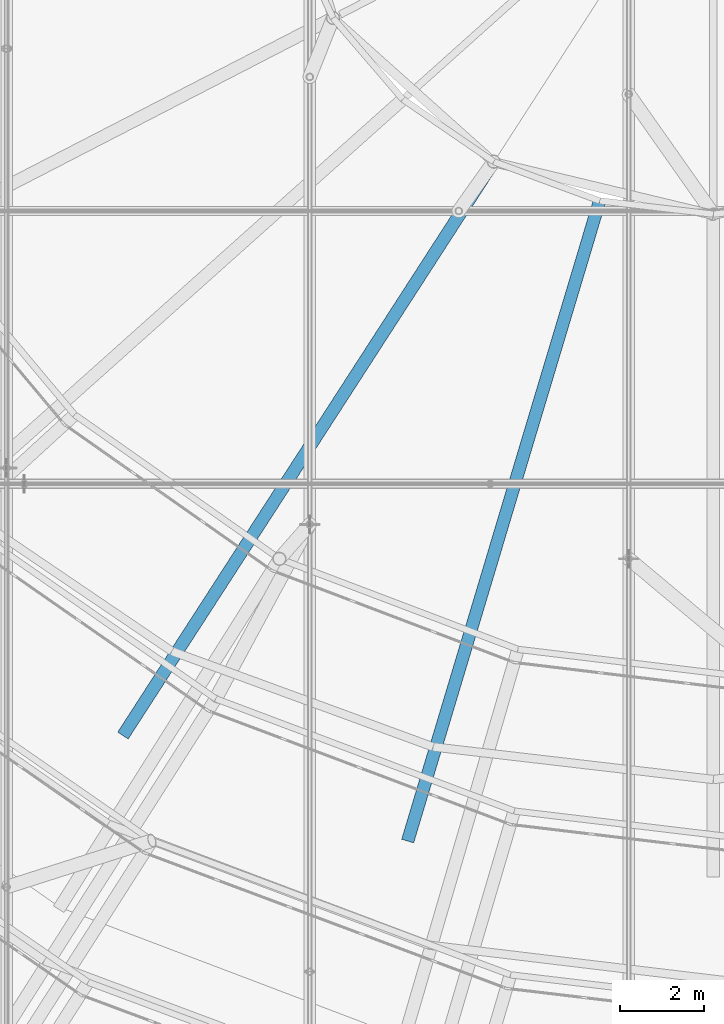
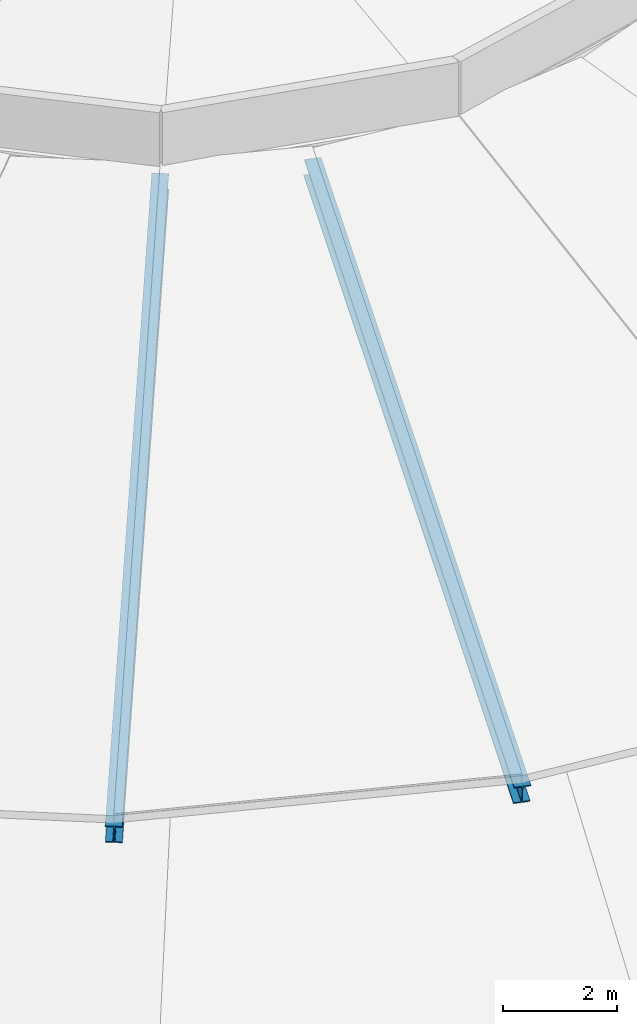
# One storey, part 21 of 173: 2 members.
"""IFC4 building model written with IfcOpenShell, lengths in metres."""

from ifc_helpers import new_model, si_unit, direction, frame, origin, origin_2d, place, context, subcontext, project, spatial, i_section, extrude, material, material_profile, profile_set, type_object, element, save


model = new_model("IFC4")

# Units and contexts
model_context = context("Model", 3, precision=1e-05, world=origin(), true_north=direction((0.0, 1.0)))
body_context = subcontext(model_context, "Body", "Model", "MODEL_VIEW")
ifc_project = project(units=[si_unit("LENGTHUNIT", "METRE"), si_unit("AREAUNIT", "SQUARE_METRE"), si_unit("VOLUMEUNIT", "CUBIC_METRE"), si_unit("PLANEANGLEUNIT", "RADIAN"), si_unit("MASSUNIT", "GRAM", prefix="KILO")], contexts=[model_context])

# Site, building, storey
site_placement = place(None, origin())
site = spatial("IfcSite", under=ifc_project, at=site_placement, CompositionType="ELEMENT")
building_placement = place(site_placement, origin())
building = spatial("IfcBuilding", under=site, at=building_placement, Name="Glasvene Arena", CompositionType="ELEMENT")
storey_placement = place(building_placement, frame((0.0, 0.0, 28.800048828125)))
storey = spatial("IfcBuildingStorey", under=building, at=storey_placement, Name="RF", CompositionType="ELEMENT", Elevation=28.800048828125)

# Members
ifc_material = material(Name="Steel S355J2", Category="steel")
ifc_material_profile = material_profile(ifc_material, i_section(OverallWidth=0.300048828125, OverallDepth=0.39990234375, WebThickness=0.013427734375, FlangeThickness=0.02392578125, FilletRadius=0.027099609375, at=origin_2d()), Name="HEB 400")
ifc_profile_set = profile_set([ifc_material_profile], Name="Steel S355J2")
member_type = type_object("IfcMemberType", Name="MB-CHORD-HEB400", PredefinedType="CHORD", material=ifc_profile_set)
member_1_placement = place(storey_placement, frame((72.10009765625, 46.576171875, 10.550048828125), z_axis=(0.53615140253, 0.829866940929, 0.154475026843), x_axis=(-0.839949107634, 0.542665179079, 0.0)))
element("IfcMember", 1, at=member_1_placement, inside=storey, type_object=member_type, Name="Petal ring 5 radial rib 17", PredefinedType="CHORD", context=body_context, shape_type="SweptSolid", body=[
    extrude(i_section(OverallWidth=0.300048828125, OverallDepth=0.39990234375, WebThickness=0.013427734375, FlangeThickness=0.02392578125, FilletRadius=0.027099609375, at=origin_2d()), origin(), (0.0, 0.0, 1.0), 16.50634765625),
])
member_2_placement = place(storey_placement, frame((78.9013671875, 44.05859375, 10.550048828125), z_axis=(0.283606548317, 0.945858974294, 0.157854763943), x_axis=(-0.957868402365, 0.287207457686, 0.0)))
element("IfcMember", 2, at=member_2_placement, inside=storey, type_object=member_type, Name="Petal ring 5 radial rib 18", PredefinedType="CHORD", context=body_context, shape_type="SweptSolid", body=[
    extrude(i_section(OverallWidth=0.300048828125, OverallDepth=0.39990234375, WebThickness=0.013427734375, FlangeThickness=0.02392578125, FilletRadius=0.027099609375, at=origin_2d()), origin(), (0.0, 0.0, 1.0), 16.15283203125),
])

save(model, "model.ifc")
